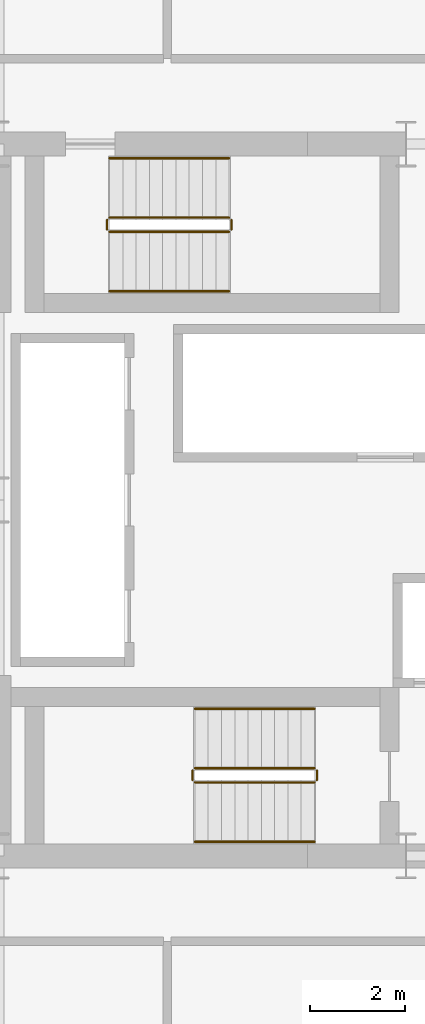
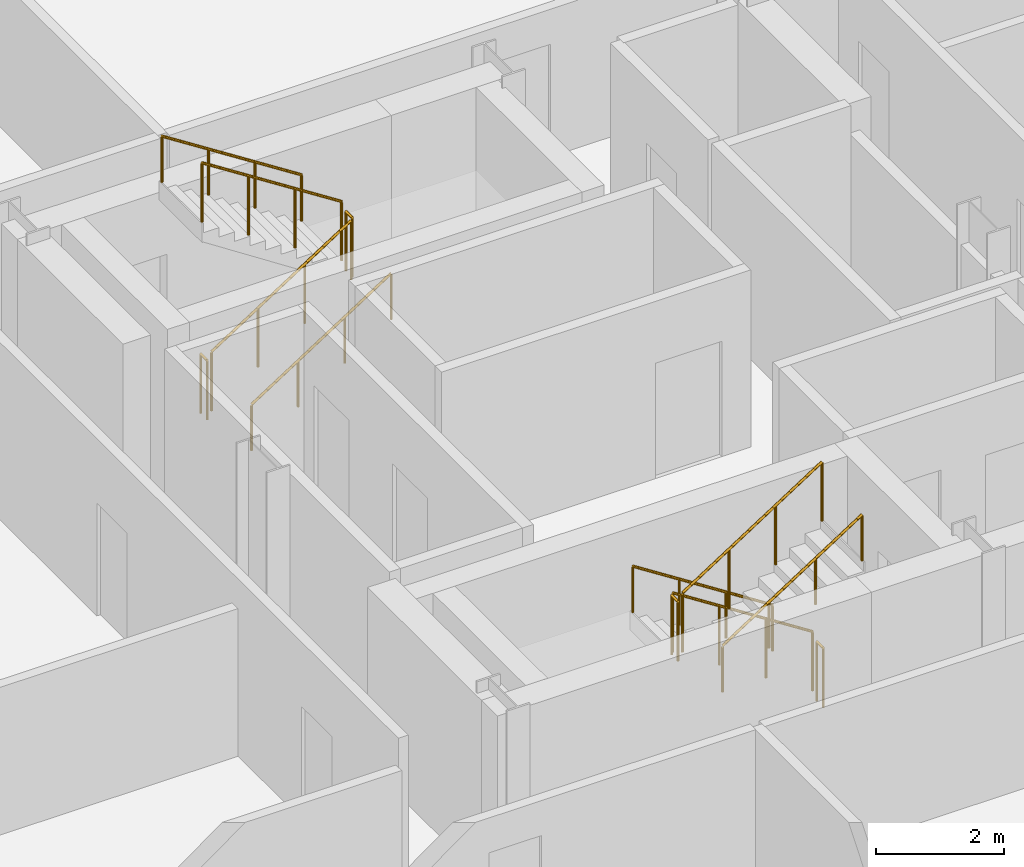
# One storey, part 20 of 21: 12 railings.
"""IFC4 building model written with IfcOpenShell, lengths in metres."""

import ifcopenshell
import ifcopenshell.guid

model = None  # the IFC model being written
_history = None  # IfcOwnerHistory: only IFC2X3 demands one
_inside = {}  # id of a spatial element -> (the spatial element, [elements in it])
_under = {}  # id of a project, library or spatial element -> (it, [spatial elements below it])
_declared = {}  # id of a project -> (the project, [libraries it declares])
_typed = {}  # id of a type object -> (the type object, [elements of that type])
_made_of = {}  # id of a material, layer set ... -> (it, [elements and type objects made of it])


def new_model(schema):
    """Start an empty IFC model of exactly this schema.

    Asked for "IFC4X3", IfcOpenShell would pick the latest addendum, in which some entities
    have other attributes; the version numbers below select the first issue.
    IFC2X3 requires an IfcOwnerHistory on every rooted entity: one is made here for all.
    """
    global model, _history
    if schema == "IFC4X3":
        model = ifcopenshell.file(schema_version=(4, 3, 0, 0))
    else:
        model = ifcopenshell.file(schema=schema)
    _inside.clear()
    _under.clear()
    _declared.clear()
    _typed.clear()
    _made_of.clear()
    _history = None
    if model.schema == "IFC2X3":
        org = make("IfcOrganization", Name="unknown")
        user = make(
            "IfcPersonAndOrganization",
            ThePerson=make("IfcPerson", FamilyName="unknown"),
            TheOrganization=org,
        )
        app = make(
            "IfcApplication",
            ApplicationDeveloper=org,
            Version="unknown",
            ApplicationFullName="unknown",
            ApplicationIdentifier="unknown",
        )
        _history = make(
            "IfcOwnerHistory",
            OwningUser=user,
            OwningApplication=app,
            ChangeAction="ADDED",
            CreationDate=0,
        )
    return model


def make(cls, **values):
    """One entity of the class cls with the attributes given. An attribute that is None is left unset."""
    return model.create_entity(
        cls, **{name: value for name, value in values.items() if value is not None}
    )


def rooted(cls, **values):
    """An entity with a GlobalId (a new one), such as an element, a storey or a relation."""
    return make(cls, GlobalId=ifcopenshell.guid.new(), OwnerHistory=_history, **values)


def si_unit(unit_type, name, prefix=None):
    """IfcSIUnit, for example si_unit("LENGTHUNIT", "METRE", prefix="MILLI")."""
    return make("IfcSIUnit", UnitType=unit_type, Prefix=prefix, Name=name)


def assignment(units):
    """IfcUnitAssignment: the units of a project."""
    return None if units is None else make("IfcUnitAssignment", Units=units)


def point(xyz):
    """IfcCartesianPoint."""
    return None if xyz is None else make("IfcCartesianPoint", Coordinates=xyz)


def direction(xyz):
    """IfcDirection."""
    return None if xyz is None else make("IfcDirection", DirectionRatios=xyz)


def frame(location, z_axis=None, x_axis=None):
    """IfcAxis2Placement3D, a coordinate frame: its origin and axes. An axis left out is left unset."""
    return make(
        "IfcAxis2Placement3D",
        Location=point(location),
        Axis=direction(z_axis),
        RefDirection=direction(x_axis),
    )


def frame_2d(location, x_axis=None):
    """IfcAxis2Placement2D, a coordinate frame in the plane: its origin and x axis."""
    return make(
        "IfcAxis2Placement2D", Location=point(location), RefDirection=direction(x_axis)
    )


def origin():
    """The frame at (0, 0, 0) with its axes left unset."""
    return frame((0.0, 0.0, 0.0))


def origin_2d():
    """The frame at (0, 0) in the plane with its x axis left unset."""
    return frame_2d((0.0, 0.0))


def place(relative_to, where):
    """IfcLocalPlacement: puts the frame where relative to a parent placement (None: the world)."""
    return make(
        "IfcLocalPlacement", PlacementRelTo=relative_to, RelativePlacement=where
    )


def context(
    kind, dimensions, precision=None, world=None, true_north=None, identifier=None
):
    """IfcGeometricRepresentationContext, for example the 3D "Model" context."""
    return make(
        "IfcGeometricRepresentationContext",
        ContextIdentifier=identifier,
        ContextType=kind,
        CoordinateSpaceDimension=dimensions,
        Precision=precision,
        WorldCoordinateSystem=world,
        TrueNorth=true_north,
    )


def subcontext(parent, identifier, kind, view, scale=None):
    """IfcGeometricRepresentationSubContext, for example "Body" below "Model"."""
    return make(
        "IfcGeometricRepresentationSubContext",
        ContextIdentifier=identifier,
        ContextType=kind,
        ParentContext=parent,
        TargetScale=scale,
        TargetView=view,
    )


def project(units=None, contexts=None):
    """IfcProject with its units and contexts."""
    return rooted(
        "IfcProject",
        Name="project",
        RepresentationContexts=contexts,
        UnitsInContext=assignment(units),
    )


def spatial(cls, under=None, at=None, **own):
    """A site, building, storey or space (cls), placed at a placement, below another one or the project."""
    s = rooted(cls, ObjectPlacement=at, **own)
    if under is not None:
        _under.setdefault(under.id(), (under, []))[1].append(s)
    return s


def profile(cls, at=None, kind="AREA", **sizes):
    """A parametric profile (cls). Its sizes go by their IFC names, for example OverallWidth=200.0."""
    return make(cls, ProfileType=kind, Position=at, **sizes)


def circle(**sizes):
    """IfcCircleProfileDef."""
    return profile("IfcCircleProfileDef", **sizes)


def extrude(swept, where, along, depth):
    """IfcExtrudedAreaSolid: the profile swept, set in the frame where, extruded along a direction by depth."""
    return make(
        "IfcExtrudedAreaSolid",
        SweptArea=swept,
        Position=where,
        ExtrudedDirection=direction(along),
        Depth=depth,
    )


def shape(context_of_items, identifier, shape_type, items):
    """IfcShapeRepresentation: the items that make up one representation, for example the "Body"."""
    return make(
        "IfcShapeRepresentation",
        ContextOfItems=context_of_items,
        RepresentationIdentifier=identifier,
        RepresentationType=shape_type,
        Items=items,
    )


def material(Name=None, Category=None):
    """IfcMaterial."""
    return make("IfcMaterial", Name=Name, Category=Category)


def made_of(thing, what):
    """Note that an element or type object is made of a material, layer set ...; save() writes the relation."""
    if what is not None:
        _made_of.setdefault(what.id(), (what, []))[1].append(thing)
    return thing


def type_object(cls, material=None, **own):
    """A type object (cls), such as IfcWallType, which elements share."""
    return made_of(rooted(cls, **own), material)


def element(
    cls,
    number,
    at=None,
    inside=None,
    cuts=None,
    type_object=None,
    material=None,
    context=None,
    identifier="Body",
    shape_type=None,
    held_by="IfcProductDefinitionShape",
    body=None,
    shapes=None,
    **own,
):
    """One element of the class cls, such as IfcWall. Its Tag is "e" and its number.

    at: its placement. inside: the storey or other place that contains it. cuts: it is an
    opening in that element (IfcRelVoidsElement). A single representation is given by context,
    identifier, shape_type and body (its items); several are given by shapes. held_by: the class
    of the entity that holds the representations. save() writes the other relations.
    """
    e = rooted(cls, Tag="e%d" % number, ObjectPlacement=at, **own)
    if body is not None:
        shapes = [shape(context, identifier, shape_type, body)]
    if shapes is not None:
        e.Representation = make(held_by, Representations=shapes)
    if inside is not None:
        _inside.setdefault(inside.id(), (inside, []))[1].append(e)
    if cuts is not None:
        rooted(
            "IfcRelVoidsElement", RelatingBuildingElement=cuts, RelatedOpeningElement=e
        )
    if type_object is not None:
        _typed.setdefault(type_object.id(), (type_object, []))[1].append(e)
    return made_of(e, material)


def aggregate(whole, parts):
    """IfcRelAggregates: a whole, such as a stair, and the parts it consists of."""
    return rooted("IfcRelAggregates", RelatingObject=whole, RelatedObjects=parts)


def save(model, path):
    """Write the relations noted so far, then the file.

    IfcRelAggregates (storeys below a building ...), IfcRelContainedInSpatialStructure (elements
    in a storey), IfcRelDefinesByType, IfcRelAssociatesMaterial and IfcRelDeclares: one each for
    every whole, place, type object, material and project.
    """
    for whole, parts in _under.values():
        aggregate(whole, parts)
    for where, things in _inside.values():
        rooted(
            "IfcRelContainedInSpatialStructure",
            RelatedElements=things,
            RelatingStructure=where,
        )
    for kind, things in _typed.values():
        rooted("IfcRelDefinesByType", RelatedObjects=things, RelatingType=kind)
    for what, things in _made_of.values():
        rooted("IfcRelAssociatesMaterial", RelatedObjects=things, RelatingMaterial=what)
    for by, libraries in _declared.values():
        rooted("IfcRelDeclares", RelatingContext=by, RelatedDefinitions=libraries)
    model.write(path)


model = new_model("IFC4")

# Units and contexts
model_context = context("Model", 3, precision=1e-05, world=origin(), true_north=direction((0.0, 1.0)))
body_context = subcontext(model_context, "Body", "Model", "MODEL_VIEW")
ifc_project = project(units=[si_unit("LENGTHUNIT", "METRE"), si_unit("AREAUNIT", "SQUARE_METRE"), si_unit("VOLUMEUNIT", "CUBIC_METRE"), si_unit("PLANEANGLEUNIT", "RADIAN"), si_unit("MASSUNIT", "GRAM", prefix="KILO")], contexts=[model_context])

# Site, building, storey
site_placement = place(None, origin())
site = spatial("IfcSite", under=ifc_project, at=site_placement, CompositionType="ELEMENT")
building_placement = place(site_placement, origin())
building = spatial("IfcBuilding", under=site, at=building_placement, Name="Barlavira Tower and Art Museum", CompositionType="ELEMENT")
storey_placement = place(building_placement, frame((0.0, 0.0, 79.199951171875)))
storey = spatial("IfcBuildingStorey", under=building, at=storey_placement, Name="L19", CompositionType="ELEMENT", Elevation=79.199951171875)

# Railings
ifc_material = material(Name="Brushed stainless steel", Category="steel")
railing_type_1 = type_object("IfcRailingType", Name="Interior Void and Landing Guard Railing 1150", PredefinedType="GUARDRAIL", material=ifc_material)
railing_1_placement = place(storey_placement, frame((0.14990234375, -5.64990234375, 0.179931640625)))
element("IfcRailing", 1, at=railing_1_placement, inside=storey, type_object=railing_type_1, Name="L19 ST-T1 stair guard 1", PredefinedType="GUARDRAIL", context=body_context, shape_type="SweptSolid", body=[
    extrude(circle(Radius=0.02392578125, at=origin_2d()), frame((0.0, 0.0, 1.1259765625), z_axis=(-0.841162588446, 0.0, 0.540782303519), x_axis=(0.0, -1.0, 0.0)), (0.0, 0.0, 1.0), 2.995849609375),
    extrude(circle(Radius=0.02099609375, at=origin_2d()), origin(), (0.0, 0.0, 1.0), 1.101806640625),
    extrude(circle(Radius=0.02099609375, at=origin_2d()), frame((-0.840087890625, 0.0, 0.5400390625)), (0.0, 0.0, 1.0), 1.101806640625),
    extrude(circle(Radius=0.02099609375, at=origin_2d()), frame((-1.679931640625, 0.0, 1.080078125)), (0.0, 0.0, 1.0), 1.101806640625),
    extrude(circle(Radius=0.02099609375, at=origin_2d()), frame((-2.52001953125, 0.0, 1.6201171875)), (0.0, 0.0, 1.0), 1.101806640625),
])
railing_2_placement = place(storey_placement, frame((-2.419921875, -5.699951171875, 1.800048828125)))
element("IfcRailing", 2, at=railing_2_placement, inside=storey, type_object=railing_type_1, Name="L19 ST-T1 stair guard 2", PredefinedType="GUARDRAIL", context=body_context, shape_type="SweptSolid", body=[
    extrude(circle(Radius=0.02392578125, at=origin_2d()), frame((0.0, 0.0, 1.1259765625), z_axis=(0.0, -1.0, 0.0), x_axis=(1.0, 0.0, 0.0)), (0.0, 0.0, 1.0), 0.199951171875),
    extrude(circle(Radius=0.02099609375, at=origin_2d()), origin(), (0.0, 0.0, 1.0), 1.101806640625),
    extrude(circle(Radius=0.02099609375, at=origin_2d()), frame((0.0, -0.199951171875, 0.0)), (0.0, 0.0, 1.0), 1.101806640625),
])
railing_3_placement = place(storey_placement, frame((-2.3701171875, -5.949951171875, 1.97998046875)))
element("IfcRailing", 3, at=railing_3_placement, inside=storey, type_object=railing_type_1, Name="L19 ST-T1 stair guard 3", PredefinedType="GUARDRAIL", context=body_context, shape_type="SweptSolid", body=[
    extrude(circle(Radius=0.02392578125, at=origin_2d()), frame((0.0, 0.0, 1.1259765625), z_axis=(0.841162588446, 0.0, 0.540782303519), x_axis=(0.0, 1.0, 0.0)), (0.0, 0.0, 1.0), 2.995849609375),
    extrude(circle(Radius=0.02099609375, at=origin_2d()), origin(), (0.0, 0.0, 1.0), 1.101806640625),
    extrude(circle(Radius=0.02099609375, at=origin_2d()), frame((0.840087890625, 0.0, 0.5400390625)), (0.0, 0.0, 1.0), 1.101806640625),
    extrude(circle(Radius=0.02099609375, at=origin_2d()), frame((1.679931640625, 0.0, 1.080078125)), (0.0, 0.0, 1.0), 1.101806640625),
    extrude(circle(Radius=0.02099609375, at=origin_2d()), frame((2.52001953125, 0.0, 1.6201171875)), (0.0, 0.0, 1.0), 1.101806640625),
])
railing_4_placement = place(storey_placement, frame((0.199951171875, -5.699951171875, 0.0)))
element("IfcRailing", 4, at=railing_4_placement, inside=storey, type_object=railing_type_1, Name="L19 ST-T1 stair guard 4", PredefinedType="GUARDRAIL", context=body_context, shape_type="SweptSolid", body=[
    extrude(circle(Radius=0.02392578125, at=origin_2d()), frame((0.0, 0.0, 1.1259765625), z_axis=(0.0, -1.0, 0.0), x_axis=(1.0, 0.0, 0.0)), (0.0, 0.0, 1.0), 0.199951171875),
    extrude(circle(Radius=0.02099609375, at=origin_2d()), origin(), (0.0, 0.0, 1.0), 1.101806640625),
    extrude(circle(Radius=0.02099609375, at=origin_2d()), frame((0.0, -0.199951171875, 0.0)), (0.0, 0.0, 1.0), 1.101806640625),
])
railing_5_placement = place(storey_placement, frame((-4.169921875, 5.64990234375, 0.179931640625)))
element("IfcRailing", 5, at=railing_5_placement, inside=storey, type_object=railing_type_1, Name="L19 ST-T2 stair guard 1", PredefinedType="GUARDRAIL", context=body_context, shape_type="SweptSolid", body=[
    extrude(circle(Radius=0.02392578125, at=origin_2d()), frame((0.0, 0.0, 1.1259765625), z_axis=(0.841162588446, 0.0, 0.540782303519), x_axis=(0.0, 1.0, 0.0)), (0.0, 0.0, 1.0), 2.995849609375),
    extrude(circle(Radius=0.02099609375, at=origin_2d()), origin(), (0.0, 0.0, 1.0), 1.101806640625),
    extrude(circle(Radius=0.02099609375, at=origin_2d()), frame((0.840087890625, 0.0, 0.5400390625)), (0.0, 0.0, 1.0), 1.101806640625),
    extrude(circle(Radius=0.02099609375, at=origin_2d()), frame((1.679931640625, 0.0, 1.080078125)), (0.0, 0.0, 1.0), 1.101806640625),
    extrude(circle(Radius=0.02099609375, at=origin_2d()), frame((2.52001953125, 0.0, 1.6201171875)), (0.0, 0.0, 1.0), 1.101806640625),
])
railing_6_placement = place(storey_placement, frame((-1.60009765625, 5.699951171875, 1.800048828125)))
element("IfcRailing", 6, at=railing_6_placement, inside=storey, type_object=railing_type_1, Name="L19 ST-T2 stair guard 2", PredefinedType="GUARDRAIL", context=body_context, shape_type="SweptSolid", body=[
    extrude(circle(Radius=0.02392578125, at=origin_2d()), frame((0.0, 0.0, 1.1259765625), z_axis=(0.0, 1.0, 0.0), x_axis=(-1.0, 0.0, 0.0)), (0.0, 0.0, 1.0), 0.199951171875),
    extrude(circle(Radius=0.02099609375, at=origin_2d()), origin(), (0.0, 0.0, 1.0), 1.101806640625),
    extrude(circle(Radius=0.02099609375, at=origin_2d()), frame((0.0, 0.199951171875, 0.0)), (0.0, 0.0, 1.0), 1.101806640625),
])
railing_7_placement = place(storey_placement, frame((-1.64990234375, 5.949951171875, 1.97998046875)))
element("IfcRailing", 7, at=railing_7_placement, inside=storey, type_object=railing_type_1, Name="L19 ST-T2 stair guard 3", PredefinedType="GUARDRAIL", context=body_context, shape_type="SweptSolid", body=[
    extrude(circle(Radius=0.02392578125, at=origin_2d()), frame((0.0, 0.0, 1.1259765625), z_axis=(-0.841162588446, 0.0, 0.540782303519), x_axis=(0.0, -1.0, 0.0)), (0.0, 0.0, 1.0), 2.995849609375),
    extrude(circle(Radius=0.02099609375, at=origin_2d()), origin(), (0.0, 0.0, 1.0), 1.101806640625),
    extrude(circle(Radius=0.02099609375, at=origin_2d()), frame((-0.840087890625, 0.0, 0.5400390625)), (0.0, 0.0, 1.0), 1.101806640625),
    extrude(circle(Radius=0.02099609375, at=origin_2d()), frame((-1.679931640625, 0.0, 1.080078125)), (0.0, 0.0, 1.0), 1.101806640625),
    extrude(circle(Radius=0.02099609375, at=origin_2d()), frame((-2.52001953125, 0.0, 1.6201171875)), (0.0, 0.0, 1.0), 1.101806640625),
])
railing_8_placement = place(storey_placement, frame((-4.219970703125, 5.699951171875, 0.0)))
element("IfcRailing", 8, at=railing_8_placement, inside=storey, type_object=railing_type_1, Name="L19 ST-T2 stair guard 4", PredefinedType="GUARDRAIL", context=body_context, shape_type="SweptSolid", body=[
    extrude(circle(Radius=0.02392578125, at=origin_2d()), frame((0.0, 0.0, 1.1259765625), z_axis=(0.0, 1.0, 0.0), x_axis=(-1.0, 0.0, 0.0)), (0.0, 0.0, 1.0), 0.199951171875),
    extrude(circle(Radius=0.02099609375, at=origin_2d()), origin(), (0.0, 0.0, 1.0), 1.101806640625),
    extrude(circle(Radius=0.02099609375, at=origin_2d()), frame((0.0, 0.199951171875, 0.0)), (0.0, 0.0, 1.0), 1.101806640625),
])
railing_type_2 = type_object("IfcRailingType", Name="Stair Pitch Tubular Steel Handrail 920", PredefinedType="HANDRAIL", material=ifc_material)
railing_9_placement = place(storey_placement, frame((0.14990234375, -4.39990234375, 0.179931640625)))
element("IfcRailing", 9, at=railing_9_placement, inside=storey, type_object=railing_type_2, Name="L19 ST-T1 stair handrail 1", PredefinedType="HANDRAIL", context=body_context, shape_type="SweptSolid", body=[
    extrude(circle(Radius=0.02392578125, at=origin_2d()), frame((0.0, 0.0, 0.8759765625), z_axis=(-0.841162588446, 0.0, 0.540782303519), x_axis=(0.0, -1.0, 0.0)), (0.0, 0.0, 1.0), 2.995849609375),
    extrude(circle(Radius=0.02099609375, at=origin_2d()), origin(), (0.0, 0.0, 1.0), 0.851806640625),
    extrude(circle(Radius=0.02099609375, at=origin_2d()), frame((-0.840087890625, 0.0, 0.5400390625)), (0.0, 0.0, 1.0), 0.851806640625),
    extrude(circle(Radius=0.02099609375, at=origin_2d()), frame((-1.679931640625, 0.0, 1.080078125)), (0.0, 0.0, 1.0), 0.851806640625),
    extrude(circle(Radius=0.02099609375, at=origin_2d()), frame((-2.52001953125, 0.0, 1.6201171875)), (0.0, 0.0, 1.0), 0.851806640625),
])
for number, where, name in (
    (10, (-2.3701171875, -7.199951171875, 1.97998046875), "L19 ST-T1 stair handrail 2"),
    (11, (-4.169921875, 4.39990234375, 0.179931640625), "L19 ST-T2 stair handrail 1"),
):
    element("IfcRailing", number, at=place(storey_placement, frame(where)), inside=storey, type_object=railing_type_2, Name=name, PredefinedType="HANDRAIL", context=body_context, shape_type="SweptSolid", body=[
        extrude(circle(Radius=0.02392578125, at=origin_2d()), frame((0.0, 0.0, 0.8759765625), z_axis=(0.841162588446, 0.0, 0.540782303519), x_axis=(0.0, 1.0, 0.0)), (0.0, 0.0, 1.0), 2.995849609375),
        extrude(circle(Radius=0.02099609375, at=origin_2d()), origin(), (0.0, 0.0, 1.0), 0.851806640625),
        extrude(circle(Radius=0.02099609375, at=origin_2d()), frame((0.840087890625, 0.0, 0.5400390625)), (0.0, 0.0, 1.0), 0.851806640625),
        extrude(circle(Radius=0.02099609375, at=origin_2d()), frame((1.679931640625, 0.0, 1.080078125)), (0.0, 0.0, 1.0), 0.851806640625),
        extrude(circle(Radius=0.02099609375, at=origin_2d()), frame((2.52001953125, 0.0, 1.6201171875)), (0.0, 0.0, 1.0), 0.851806640625),
    ])
railing_10_placement = place(storey_placement, frame((-1.64990234375, 7.199951171875, 1.97998046875)))
element("IfcRailing", 12, at=railing_10_placement, inside=storey, type_object=railing_type_2, Name="L19 ST-T2 stair handrail 2", PredefinedType="HANDRAIL", context=body_context, shape_type="SweptSolid", body=[
    extrude(circle(Radius=0.02392578125, at=origin_2d()), frame((0.0, 0.0, 0.8759765625), z_axis=(-0.841162588446, 0.0, 0.540782303519), x_axis=(0.0, -1.0, 0.0)), (0.0, 0.0, 1.0), 2.995849609375),
    extrude(circle(Radius=0.02099609375, at=origin_2d()), origin(), (0.0, 0.0, 1.0), 0.851806640625),
    extrude(circle(Radius=0.02099609375, at=origin_2d()), frame((-0.840087890625, 0.0, 0.5400390625)), (0.0, 0.0, 1.0), 0.851806640625),
    extrude(circle(Radius=0.02099609375, at=origin_2d()), frame((-1.679931640625, 0.0, 1.080078125)), (0.0, 0.0, 1.0), 0.851806640625),
    extrude(circle(Radius=0.02099609375, at=origin_2d()), frame((-2.52001953125, 0.0, 1.6201171875)), (0.0, 0.0, 1.0), 0.851806640625),
])

save(model, "model.ifc")
